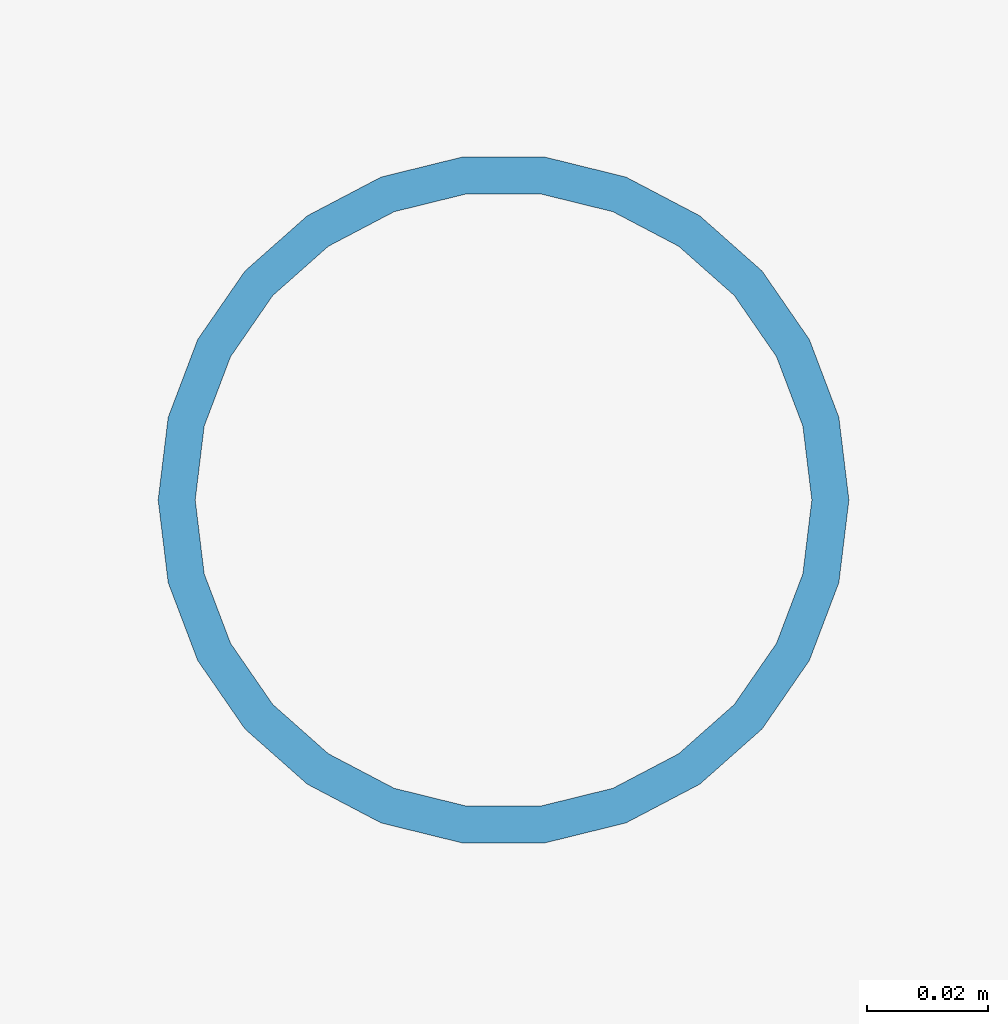
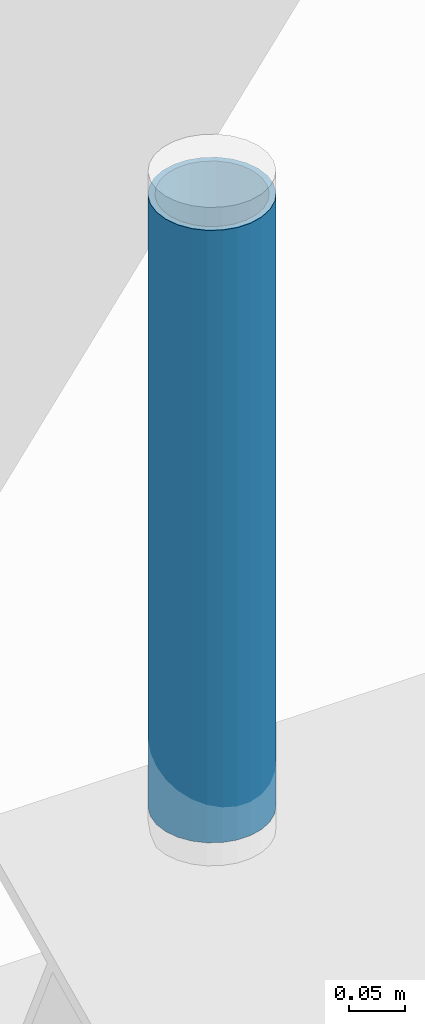
# One storey, part 20 of 31: 1 member.
"""IFC4 building model written with IfcOpenShell, lengths in metres."""

from ifc_helpers import new_model, si_unit, direction, frame, origin, origin_2d, place, context, subcontext, project, spatial, hollow_circle, extrude, material, material_profile, profile_set, type_object, element, save


model = new_model("IFC4")

# Units and contexts
model_context = context("Model", 3, precision=1e-05, world=origin(), true_north=direction((0.0, 1.0)))
body_context = subcontext(model_context, "Body", "Model", "MODEL_VIEW")
ifc_project = project(units=[si_unit("LENGTHUNIT", "METRE"), si_unit("AREAUNIT", "SQUARE_METRE"), si_unit("VOLUMEUNIT", "CUBIC_METRE"), si_unit("PLANEANGLEUNIT", "RADIAN"), si_unit("MASSUNIT", "GRAM", prefix="KILO")], contexts=[model_context])

# Site, building, storey
site_placement = place(None, origin())
site = spatial("IfcSite", under=ifc_project, at=site_placement, CompositionType="ELEMENT")
building_placement = place(site_placement, origin())
building = spatial("IfcBuilding", under=site, at=building_placement, Name="Tessera Arch", CompositionType="ELEMENT")
storey_placement = place(building_placement, frame((0.0, 0.0, 320.699951171875)))
storey = spatial("IfcBuildingStorey", under=building, at=storey_placement, Name="L77", CompositionType="ELEMENT", Elevation=320.699951171875)

# Member
ifc_material = material(Name="Steel A500 Gr C", Category="steel")
ifc_material_profile = material_profile(ifc_material, hollow_circle(Radius=0.056884765625, WallThickness=0.006103515625, at=origin_2d()), Name="Aviation obstruction light mast")
ifc_profile_set = profile_set([ifc_material_profile], Name="Steel A500 Gr C")
member_type = type_object("IfcMemberType", Name="Aviation obstruction light mast", PredefinedType="POST", material=ifc_profile_set)
member_placement = place(storey_placement, frame((18.5, 53.647705078125, 23.039794921875), z_axis=(0.0, 0.0, 1.0), x_axis=(1.0, 0.0, 0.0)))
element("IfcMember", 1, at=member_placement, inside=storey, type_object=member_type, Name="Aviation obstruction light 1", PredefinedType="POST", context=body_context, shape_type="SweptSolid", body=[
    extrude(hollow_circle(Radius=0.056884765625, WallThickness=0.006103515625, at=origin_2d()), origin(), (0.0, 0.0, 1.0), 0.663330078125),
])

save(model, "model.ifc")
